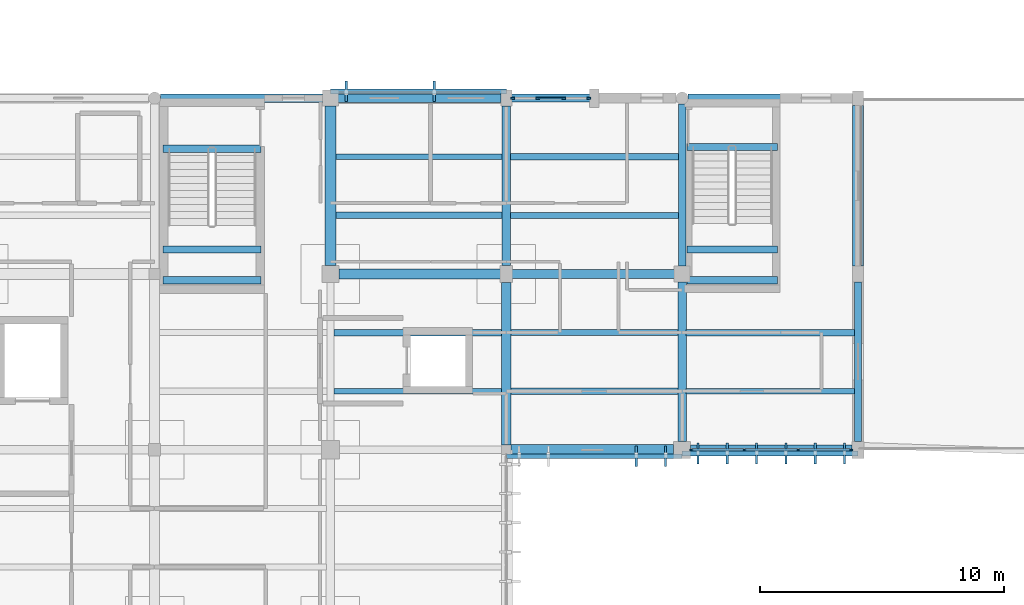
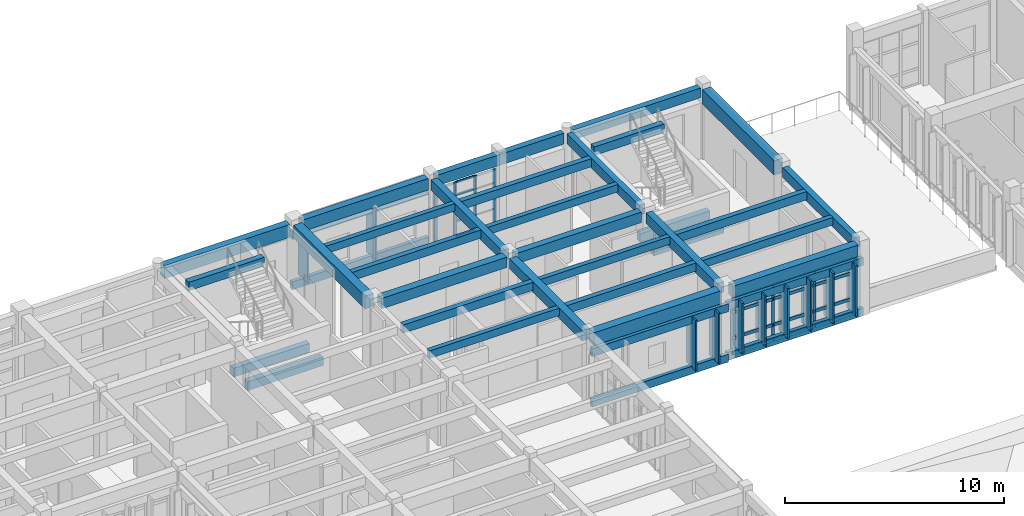
# One storey, part 14 of 51: 37 beams, 34 members, 2 elements without a shape of their own.
"""IFC4 building model written with IfcOpenShell, lengths in metres."""

from ifc_helpers import new_model, si_unit, direction, frame, origin, origin_2d, place, context, subcontext, project, spatial, rectangle, extrude, material, material_profile, profile_set, type_object, element, aggregate, save


model = new_model("IFC4")

# Units and contexts
model_context = context("Model", 3, precision=1e-05, world=origin(), true_north=direction((0.0, 1.0)))
body_context = subcontext(model_context, "Body", "Model", "MODEL_VIEW")
ifc_project = project(units=[si_unit("LENGTHUNIT", "METRE"), si_unit("AREAUNIT", "SQUARE_METRE"), si_unit("VOLUMEUNIT", "CUBIC_METRE"), si_unit("PLANEANGLEUNIT", "RADIAN"), si_unit("MASSUNIT", "GRAM", prefix="KILO")], contexts=[model_context])

# Site, building, storey
site_placement = place(None, origin())
site = spatial("IfcSite", under=ifc_project, at=site_placement, CompositionType="ELEMENT")
building_placement = place(site_placement, origin())
building = spatial("IfcBuilding", under=site, at=building_placement, Name="Steenspoor Specialist Clinic", CompositionType="ELEMENT")
storey_placement = place(building_placement, frame((0.0, 0.0, 17.39990234375)))
storey = spatial("IfcBuildingStorey", under=building, at=storey_placement, Name="L04", CompositionType="ELEMENT", Elevation=17.39990234375)

# Beams
ifc_material_1 = material(Name="Glulam GL28h", Category="wood")
ifc_material_profile_1 = material_profile(ifc_material_1, rectangle(XDim=0.199951171875, YDim=0.43994140625, at=origin_2d()), Name="GL28H-200X440")
ifc_profile_set_1 = profile_set([ifc_material_profile_1], Name="Glulam GL28h")
beam_type_1 = type_object("IfcBeamType", Name="BM-GL-200X440", PredefinedType="BEAM", material=ifc_profile_set_1)
for number, where, z_axis, x_axis, name in (
    (1, (88.39990234375, 108.6298828125, 0.14013671875), (1.0, 0.0, 0.0), (0.0, 1.0, 0.0), "Timber Screen Tie Rail V4 L04 59"),
    (2, (88.39990234375, 108.6298828125, 2.9501953125), (1.0, 0.0, 0.0), (0.0, 1.0, 0.0), "Timber Screen Tie Rail V4 L04 60"),
):
    element("IfcBeam", number, at=place(storey_placement, frame(where, z_axis=z_axis, x_axis=x_axis)), inside=storey, type_object=beam_type_1, Name=name, PredefinedType="BEAM", context=body_context, shape_type="SweptSolid", body=[
        extrude(rectangle(XDim=0.199951171875, YDim=0.43994140625, at=origin_2d()), origin(), (0.0, 0.0, 1.0), 7.2001953125),
    ])
for number, where, z_axis, x_axis, name in (
    (3, (110.0, 93.800048828125, 0.14013671875), (-1.0, 0.0, 0.0), (0.0, -1.0, 0.0), "Timber Screen Tie Rail V4 L04 63"),
    (4, (110.0, 93.800048828125, 2.9501953125), (-1.0, 0.0, 0.0), (0.0, -1.0, 0.0), "Timber Screen Tie Rail V4 L04 64"),
    (5, (102.800048828125, 93.68505859375, 0.14013671875), (-1.0, 0.0, 0.0), (0.0, -1.0, 0.0), "Timber Screen Tie Rail V4 L04 71"),
    (6, (102.800048828125, 93.68505859375, 2.9501953125), (-1.0, 0.0, 0.0), (0.0, -1.0, 0.0), "Timber Screen Tie Rail V4 L04 72"),
):
    element("IfcBeam", number, at=place(storey_placement, frame(where, z_axis=z_axis, x_axis=x_axis)), inside=storey, type_object=beam_type_1, Name=name, PredefinedType="BEAM", context=body_context, shape_type="SweptSolid", body=[
        extrude(rectangle(XDim=0.199951171875, YDim=0.43994140625, at=origin_2d()), origin(), (0.0, 0.0, 1.0), 7.199951171875),
    ])
ifc_material_2 = material(Name="Concrete C35/45", Category="concrete")
ifc_material_profile_2 = material_profile(ifc_material_2, rectangle(XDim=0.300048828125, YDim=0.47998046875, at=origin_2d()), Name="RC-BM-300X480")
ifc_profile_set_2 = profile_set([ifc_material_profile_2], Name="Concrete C35/45")
beam_type_2 = type_object("IfcBeamType", Name="BM-RC-300X480", PredefinedType="BEAM", material=ifc_profile_set_2)
for number, where, z_axis, x_axis, name in (
    (7, (103.0, 102.14990234375, 1.66015625), (1.0, 0.0, 0.0), (0.0, 1.0, 0.0), "Stair Mid-Landing Bearer 1 ST-V4B L04"),
    (8, (103.0, 100.89990234375, 1.66015625), (1.0, 0.0, 0.0), (0.0, 1.0, 0.0), "Stair Mid-Landing Bearer 2 ST-V4B L04"),
    (9, (103.0, 106.35009765625, 3.960205078125), (1.0, 0.0, 0.0), (0.0, 1.0, 0.0), "Stair Well Trimmer Beam ST-V4B L04"),
):
    element("IfcBeam", number, at=place(storey_placement, frame(where, z_axis=z_axis, x_axis=x_axis)), inside=storey, type_object=beam_type_2, Name=name, PredefinedType="BEAM", context=body_context, shape_type="SweptSolid", body=[
        extrude(rectangle(XDim=0.300048828125, YDim=0.47998046875, at=origin_2d()), origin(), (0.0, 0.0, 1.0), 3.699951171875),
    ])
for number, where, z_axis, x_axis, name in (
    (10, (81.550048828125, 102.14990234375, 1.66015625), (1.0, 0.0, 0.0), (0.0, 1.0, 0.0), "Stair Mid-Landing Bearer 1 ST-V4C L04"),
    (11, (81.550048828125, 100.89990234375, 1.66015625), (1.0, 0.0, 0.0), (0.0, 1.0, 0.0), "Stair Mid-Landing Bearer 2 ST-V4C L04"),
    (12, (81.550048828125, 106.280029296875, 3.960205078125), (1.0, 0.0, 0.0), (0.0, 1.0, 0.0), "Stair Well Trimmer Beam ST-V4C L04"),
):
    element("IfcBeam", number, at=place(storey_placement, frame(where, z_axis=z_axis, x_axis=x_axis)), inside=storey, type_object=beam_type_2, Name=name, PredefinedType="BEAM", context=body_context, shape_type="SweptSolid", body=[
        extrude(rectangle(XDim=0.300048828125, YDim=0.47998046875, at=origin_2d()), origin(), (0.0, 0.0, 1.0), 4.0),
    ])
ifc_material_profile_3 = material_profile(ifc_material_2, rectangle(XDim=0.300048828125, YDim=0.550048828125, at=origin_2d()), Name="RC-BM-300X550")
ifc_profile_set_3 = profile_set([ifc_material_profile_3], Name="Concrete C35/45")
beam_type_3 = type_object("IfcBeamType", Name="BM-RC-300X550", PredefinedType="BEAM", material=ifc_profile_set_3)
beam_1_placement = place(storey_placement, frame((102.800048828125, 101.469970703125, 3.64501953125), z_axis=(0.0, 1.0, 0.0), x_axis=(-1.0, 0.0, 0.0)))
element("IfcBeam", 13, at=beam_1_placement, inside=storey, type_object=beam_type_3, Name="BM-V4-L04-Y0963", PredefinedType="BEAM", context=body_context, shape_type="SweptSolid", body=[
    extrude(rectangle(XDim=0.300048828125, YDim=0.550048828125, at=origin_2d()), origin(), (0.0, 0.0, 1.0), 6.635009765625),
])
beam_2_placement = place(storey_placement, frame((110.0, 94.294921875, 3.64501953125), z_axis=(0.0, 1.0, 0.0), x_axis=(-1.0, 0.0, 0.0)))
element("IfcBeam", 14, at=beam_2_placement, inside=storey, type_object=beam_type_3, Name="BM-V4-L04-Y0964", PredefinedType="BEAM", context=body_context, shape_type="SweptSolid", body=[
    extrude(rectangle(XDim=0.300048828125, YDim=0.550048828125, at=origin_2d()), origin(), (0.0, 0.0, 1.0), 6.53515625),
])
ifc_material_profile_4 = material_profile(ifc_material_2, rectangle(XDim=0.35009765625, YDim=0.580078125, at=origin_2d()), Name="RC-BM-350X580")
ifc_profile_set_4 = profile_set([ifc_material_profile_4], Name="Concrete C35/45")
beam_type_4 = type_object("IfcBeamType", Name="BM-RC-350X580", PredefinedType="BEAM", material=ifc_profile_set_4)
beam_3_placement = place(storey_placement, frame((95.844970703125, 101.14990234375, 3.630126953125), z_axis=(1.0, 0.0, 0.0), x_axis=(0.0, 1.0, 0.0)))
element("IfcBeam", 15, at=beam_3_placement, inside=storey, type_object=beam_type_4, Name="BM-V4-L04-X0930", PredefinedType="BEAM", context=body_context, shape_type="SweptSolid", body=[
    extrude(rectangle(XDim=0.35009765625, YDim=0.580078125, at=origin_2d()), origin(), (0.0, 0.0, 1.0), 6.635009765625),
])
beam_4_placement = place(storey_placement, frame((95.60009765625, 101.4951171875, 3.630126953125), z_axis=(0.0, 1.0, 0.0), x_axis=(-1.0, 0.0, 0.0)))
element("IfcBeam", 16, at=beam_4_placement, inside=storey, type_object=beam_type_4, Name="BM-V4-L04-Y0961", PredefinedType="BEAM", context=body_context, shape_type="SweptSolid", body=[
    extrude(rectangle(XDim=0.35009765625, YDim=0.580078125, at=origin_2d()), origin(), (0.0, 0.0, 1.0), 6.534912109375),
])
beam_5_placement = place(storey_placement, frame((102.800048828125, 94.294921875, 3.630126953125), z_axis=(0.0, 1.0, 0.0), x_axis=(-1.0, 0.0, 0.0)))
element("IfcBeam", 17, at=beam_5_placement, inside=storey, type_object=beam_type_4, Name="BM-V4-L04-Y0962", PredefinedType="BEAM", context=body_context, shape_type="SweptSolid", body=[
    extrude(rectangle(XDim=0.35009765625, YDim=0.580078125, at=origin_2d()), origin(), (0.0, 0.0, 1.0), 6.53515625),
])
ifc_material_profile_5 = material_profile(ifc_material_2, rectangle(XDim=0.39990234375, YDim=0.580078125, at=origin_2d()), Name="RC-BM-400X580")
ifc_profile_set_5 = profile_set([ifc_material_profile_5], Name="Concrete C35/45")
beam_type_5 = type_object("IfcBeamType", Name="BM-RC-400X580", PredefinedType="BEAM", material=ifc_profile_set_5)
beam_6_placement = place(storey_placement, frame((88.7451171875, 101.14990234375, 3.630126953125), z_axis=(1.0, 0.0, 0.0), x_axis=(0.0, 1.0, 0.0)))
element("IfcBeam", 18, at=beam_6_placement, inside=storey, type_object=beam_type_5, Name="BM-V4-L04-X0929", PredefinedType="BEAM", context=body_context, shape_type="SweptSolid", body=[
    extrude(rectangle(XDim=0.39990234375, YDim=0.580078125, at=origin_2d()), origin(), (0.0, 0.0, 1.0), 6.60986328125),
])
beam_7_placement = place(storey_placement, frame((95.60009765625, 94.14501953125, 3.630126953125), z_axis=(0.0, 1.0, 0.0), x_axis=(-1.0, 0.0, 0.0)))
element("IfcBeam", 19, at=beam_7_placement, inside=storey, type_object=beam_type_5, Name="BM-V4-L04-Y0960", PredefinedType="BEAM", context=body_context, shape_type="SweptSolid", body=[
    extrude(rectangle(XDim=0.39990234375, YDim=0.580078125, at=origin_2d()), origin(), (0.0, 0.0, 1.0), 6.659912109375),
])
ifc_material_profile_6 = material_profile(ifc_material_2, rectangle(XDim=0.39990234375, YDim=0.64990234375, at=origin_2d()), Name="RC-BM-400X650")
ifc_profile_set_6 = profile_set([ifc_material_profile_6], Name="Concrete C35/45")
beam_type_6 = type_object("IfcBeamType", Name="BM-RC-400X650", PredefinedType="BEAM", material=ifc_profile_set_6)
beam_8_placement = place(storey_placement, frame((103.14501953125, 93.949951171875, 3.59521484375), z_axis=(1.0, 0.0, 0.0), x_axis=(0.0, 1.0, 0.0)))
element("IfcBeam", 20, at=beam_8_placement, inside=storey, type_object=beam_type_6, Name="BM-V4-L04-X0926", PredefinedType="BEAM", context=body_context, shape_type="SweptSolid", body=[
    extrude(rectangle(XDim=0.39990234375, YDim=0.64990234375, at=origin_2d()), origin(), (0.0, 0.0, 1.0), 6.60986328125),
])
ifc_material_profile_7 = material_profile(ifc_material_2, rectangle(XDim=0.449951171875, YDim=0.719970703125, at=origin_2d()), Name="RC-BM-450X720")
ifc_profile_set_7 = profile_set([ifc_material_profile_7], Name="Concrete C35/45")
beam_type_7 = type_object("IfcBeamType", Name="BM-RC-450X720", PredefinedType="BEAM", material=ifc_profile_set_7)
beam_9_placement = place(storey_placement, frame((95.794921875, 93.949951171875, 3.56005859375), z_axis=(1.0, 0.0, 0.0), x_axis=(0.0, 1.0, 0.0)))
element("IfcBeam", 21, at=beam_9_placement, inside=storey, type_object=beam_type_7, Name="BM-V4-L04-X0925", PredefinedType="BEAM", context=body_context, shape_type="SweptSolid", body=[
    extrude(rectangle(XDim=0.449951171875, YDim=0.719970703125, at=origin_2d()), origin(), (0.0, 0.0, 1.0), 6.66015625),
])
beam_10_placement = place(storey_placement, frame((88.39990234375, 101.4951171875, 3.56005859375), z_axis=(0.0, 1.0, 0.0), x_axis=(-1.0, 0.0, 0.0)))
element("IfcBeam", 22, at=beam_10_placement, inside=storey, type_object=beam_type_7, Name="BM-V4-L04-Y0956", PredefinedType="BEAM", context=body_context, shape_type="SweptSolid", body=[
    extrude(rectangle(XDim=0.449951171875, YDim=0.719970703125, at=origin_2d()), origin(), (0.0, 0.0, 1.0), 6.534912109375),
])
ifc_material_profile_8 = material_profile(ifc_material_2, rectangle(XDim=0.449951171875, YDim=0.800048828125, at=origin_2d()), Name="RC-BM-450X800")
ifc_profile_set_8 = profile_set([ifc_material_profile_8], Name="Concrete C35/45")
beam_type_8 = type_object("IfcBeamType", Name="BM-RC-450X800", PredefinedType="BEAM", material=ifc_profile_set_8)
beam_11_placement = place(storey_placement, frame((110.0, 101.469970703125, 3.52001953125), z_axis=(0.0, 1.0, 0.0), x_axis=(-1.0, 0.0, 0.0)))
element("IfcBeam", 23, at=beam_11_placement, inside=storey, type_object=beam_type_8, Name="BM-V4-L04-Y0965", PredefinedType="BEAM", context=body_context, shape_type="SweptSolid", body=[
    extrude(rectangle(XDim=0.449951171875, YDim=0.800048828125, at=origin_2d()), origin(), (0.0, 0.0, 1.0), 6.5849609375),
])

# Curtain wall, members
ifc_material_3 = material(Name="Thermally broken aluminium and low-emissivity glass", Category="aluminium")
curtain_wall_type_1 = type_object("IfcCurtainWallType", Name="CW-TYP-660X355", PredefinedType="USERDEFINED", material=ifc_material_3)
curtain_wall_1_placement = place(storey_placement, origin())
curtain_wall_1 = element("IfcCurtainWall", 24, at=curtain_wall_1_placement, inside=storey, type_object=curtain_wall_type_1, Name="Unitised Curtain Wall CW-V4-L04-129", ObjectType="UNITISED GLAZING", PredefinedType="USERDEFINED")
ifc_material_4 = material(Name="Thermally broken aluminium 6063-T6", Category="aluminium")
ifc_material_profile_9 = material_profile(ifc_material_4, rectangle(XDim=0.06494140625, YDim=0.14990234375, at=origin_2d()), Name="CWM-65X150")
ifc_profile_set_9 = profile_set([ifc_material_profile_9], Name="Thermally broken aluminium 6063-T6")
member_type_1 = type_object("IfcMemberType", Name="CW-MULL-65X150", PredefinedType="MULLION", material=ifc_profile_set_9)
member_1_placement = place(storey_placement, frame((109.717529296875, 93.949951171875, 0.0), z_axis=(0.0, 0.0, 1.0), x_axis=(0.0, -1.0, 0.0)))
member_1 = element("IfcMember", 25, at=member_1_placement, type_object=member_type_1, Name="CW-09 mullion 1", PredefinedType="MULLION", context=body_context, shape_type="SweptSolid", body=[
    extrude(rectangle(XDim=0.06494140625, YDim=0.14990234375, at=origin_2d()), origin(), (0.0, 0.0, 1.0), 3.10009765625),
])
member_2_placement = place(storey_placement, frame((107.550048828125, 93.949951171875, 0.0), z_axis=(0.0, 0.0, 1.0), x_axis=(0.0, -1.0, 0.0)))
member_2 = element("IfcMember", 26, at=member_2_placement, type_object=member_type_1, Name="CW-09 mullion 2", PredefinedType="MULLION", context=body_context, shape_type="SweptSolid", body=[
    extrude(rectangle(XDim=0.06494140625, YDim=0.14990234375, at=origin_2d()), origin(), (0.0, 0.0, 1.0), 3.10009765625),
])
member_3_placement = place(storey_placement, frame((105.35009765625, 93.949951171875, 0.0), z_axis=(0.0, 0.0, 1.0), x_axis=(0.0, -1.0, 0.0)))
member_3 = element("IfcMember", 27, at=member_3_placement, type_object=member_type_1, Name="CW-09 mullion 3", PredefinedType="MULLION", context=body_context, shape_type="SweptSolid", body=[
    extrude(rectangle(XDim=0.06494140625, YDim=0.14990234375, at=origin_2d()), origin(), (0.0, 0.0, 1.0), 3.10009765625),
])
member_4_placement = place(storey_placement, frame((103.1826171875, 93.949951171875, 0.0), z_axis=(0.0, 0.0, 1.0), x_axis=(0.0, -1.0, 0.0)))
member_4 = element("IfcMember", 28, at=member_4_placement, type_object=member_type_1, Name="CW-09 mullion 4", PredefinedType="MULLION", context=body_context, shape_type="SweptSolid", body=[
    extrude(rectangle(XDim=0.06494140625, YDim=0.14990234375, at=origin_2d()), origin(), (0.0, 0.0, 1.0), 3.10009765625),
])

curtain_wall_type_2 = type_object("IfcCurtainWallType", Name="CW-L00-240X415", PredefinedType="USERDEFINED", material=ifc_material_3)
curtain_wall_2_placement = place(storey_placement, origin())
curtain_wall_2 = element("IfcCurtainWall", 29, at=curtain_wall_2_placement, inside=storey, type_object=curtain_wall_type_2, Name="Unitised Curtain Wall CW-V4-L04-128", ObjectType="UNITISED GLAZING", PredefinedType="USERDEFINED")
ifc_material_profile_10 = material_profile(ifc_material_4, rectangle(XDim=0.070068359375, YDim=0.1650390625, at=origin_2d()), Name="CWM-70X165")
ifc_profile_set_10 = profile_set([ifc_material_profile_10], Name="Thermally broken aluminium 6063-T6")
member_type_2 = type_object("IfcMemberType", Name="CW-MULL-70X165", PredefinedType="MULLION", material=ifc_profile_set_10)
member_5_placement = place(storey_placement, frame((95.860107421875, 108.35009765625, 0.0), z_axis=(0.0, 0.0, 1.0), x_axis=(0.0, 1.0, 0.0)))
member_5 = element("IfcMember", 30, at=member_5_placement, type_object=member_type_2, Name="CW-08 mullion 1", PredefinedType="MULLION", context=body_context, shape_type="SweptSolid", body=[
    extrude(rectangle(XDim=0.070068359375, YDim=0.1650390625, at=origin_2d()), origin(), (0.0, 0.0, 1.0), 3.10009765625),
])
member_6_placement = place(storey_placement, frame((96.88671875, 108.35009765625, 0.0), z_axis=(0.0, 0.0, 1.0), x_axis=(0.0, 1.0, 0.0)))
member_6 = element("IfcMember", 31, at=member_6_placement, type_object=member_type_2, Name="CW-08 mullion 2", PredefinedType="MULLION", context=body_context, shape_type="SweptSolid", body=[
    extrude(rectangle(XDim=0.070068359375, YDim=0.1650390625, at=origin_2d()), origin(), (0.0, 0.0, 1.0), 3.10009765625),
])
member_7_placement = place(storey_placement, frame((97.9482421875, 108.35009765625, 0.0), z_axis=(0.0, 0.0, 1.0), x_axis=(0.0, 1.0, 0.0)))
member_7 = element("IfcMember", 32, at=member_7_placement, type_object=member_type_2, Name="CW-08 mullion 3", PredefinedType="MULLION", context=body_context, shape_type="SweptSolid", body=[
    extrude(rectangle(XDim=0.070068359375, YDim=0.1650390625, at=origin_2d()), origin(), (0.0, 0.0, 1.0), 3.10009765625),
])
member_8_placement = place(storey_placement, frame((98.97509765625, 108.35009765625, 0.0), z_axis=(0.0, 0.0, 1.0), x_axis=(0.0, 1.0, 0.0)))
member_8 = element("IfcMember", 33, at=member_8_placement, type_object=member_type_2, Name="CW-08 mullion 4", PredefinedType="MULLION", context=body_context, shape_type="SweptSolid", body=[
    extrude(rectangle(XDim=0.070068359375, YDim=0.1650390625, at=origin_2d()), origin(), (0.0, 0.0, 1.0), 3.10009765625),
])
ifc_material_profile_11 = material_profile(ifc_material_4, rectangle(XDim=0.06005859375, YDim=0.114990234375, at=origin_2d()), Name="CWT-60X115")
ifc_profile_set_11 = profile_set([ifc_material_profile_11], Name="Thermally broken aluminium 6063-T6")
member_type_3 = type_object("IfcMemberType", Name="CW-TRAN-60X115", PredefinedType="USERDEFINED", material=ifc_profile_set_11)
member_9_placement = place(storey_placement, frame((96.921630859375, 108.35009765625, 0.030029296875), z_axis=(1.0, 0.0, 0.0), x_axis=(0.0, 1.0, 0.0)))
member_9 = element("IfcMember", 34, at=member_9_placement, type_object=member_type_3, Name="CW-08 transom 2.1", ObjectType="TRANSOM", PredefinedType="USERDEFINED", context=body_context, shape_type="SweptSolid", body=[
    extrude(rectangle(XDim=0.06005859375, YDim=0.114990234375, at=origin_2d()), origin(), (0.0, 0.0, 1.0), 0.99169921875),
])
member_10_placement = place(storey_placement, frame((96.921630859375, 108.35009765625, 0.900146484375), z_axis=(1.0, 0.0, 0.0), x_axis=(0.0, 1.0, 0.0)))
member_10 = element("IfcMember", 35, at=member_10_placement, type_object=member_type_3, Name="CW-08 transom 2.2", ObjectType="TRANSOM", PredefinedType="USERDEFINED", context=body_context, shape_type="SweptSolid", body=[
    extrude(rectangle(XDim=0.06005859375, YDim=0.114990234375, at=origin_2d()), origin(), (0.0, 0.0, 1.0), 0.99169921875),
])
member_11_placement = place(storey_placement, frame((96.921630859375, 108.35009765625, 2.35009765625), z_axis=(1.0, 0.0, 0.0), x_axis=(0.0, 1.0, 0.0)))
member_11 = element("IfcMember", 36, at=member_11_placement, type_object=member_type_3, Name="CW-08 transom 2.3", ObjectType="TRANSOM", PredefinedType="USERDEFINED", context=body_context, shape_type="SweptSolid", body=[
    extrude(rectangle(XDim=0.06005859375, YDim=0.114990234375, at=origin_2d()), origin(), (0.0, 0.0, 1.0), 0.99169921875),
])
member_12_placement = place(storey_placement, frame((96.921630859375, 108.35009765625, 3.070068359375), z_axis=(1.0, 0.0, 0.0), x_axis=(0.0, 1.0, 0.0)))
member_12 = element("IfcMember", 37, at=member_12_placement, type_object=member_type_3, Name="CW-08 transom 2.4", ObjectType="TRANSOM", PredefinedType="USERDEFINED", context=body_context, shape_type="SweptSolid", body=[
    extrude(rectangle(XDim=0.06005859375, YDim=0.114990234375, at=origin_2d()), origin(), (0.0, 0.0, 1.0), 0.99169921875),
])
aggregate(curtain_wall_2, [member_5, member_6, member_7, member_8, member_9, member_10, member_11, member_12])

# Member
ifc_material_profile_12 = material_profile(ifc_material_4, rectangle(XDim=0.090087890625, YDim=0.175048828125, at=origin_2d()), Name="CWT-90X175")
ifc_profile_set_12 = profile_set([ifc_material_profile_12], Name="Thermally broken aluminium 6063-T6")
member_type_4 = type_object("IfcMemberType", Name="CW-TRAN-90X175", PredefinedType="USERDEFINED", material=ifc_profile_set_12)
member_13_placement = place(storey_placement, frame((109.68505859375, 93.949951171875, 0.045166015625), z_axis=(-1.0, 0.0, 0.0), x_axis=(0.0, -1.0, 0.0)))
member_13 = element("IfcMember", 38, at=member_13_placement, type_object=member_type_4, Name="CW-09 transom 1.1", ObjectType="TRANSOM", PredefinedType="USERDEFINED", context=body_context, shape_type="SweptSolid", body=[
    extrude(rectangle(XDim=0.090087890625, YDim=0.175048828125, at=origin_2d()), origin(), (0.0, 0.0, 1.0), 2.1025390625),
])

member_14_placement = place(storey_placement, frame((109.68505859375, 93.949951171875, 0.900146484375), z_axis=(-1.0, 0.0, 0.0), x_axis=(0.0, -1.0, 0.0)))
member_14 = element("IfcMember", 39, at=member_14_placement, type_object=member_type_4, Name="CW-09 transom 1.2", ObjectType="TRANSOM", PredefinedType="USERDEFINED", context=body_context, shape_type="SweptSolid", body=[
    extrude(rectangle(XDim=0.090087890625, YDim=0.175048828125, at=origin_2d()), origin(), (0.0, 0.0, 1.0), 2.1025390625),
])

member_15_placement = place(storey_placement, frame((109.68505859375, 93.949951171875, 2.35009765625), z_axis=(-1.0, 0.0, 0.0), x_axis=(0.0, -1.0, 0.0)))
member_15 = element("IfcMember", 40, at=member_15_placement, type_object=member_type_4, Name="CW-09 transom 1.3", ObjectType="TRANSOM", PredefinedType="USERDEFINED", context=body_context, shape_type="SweptSolid", body=[
    extrude(rectangle(XDim=0.090087890625, YDim=0.175048828125, at=origin_2d()), origin(), (0.0, 0.0, 1.0), 2.1025390625),
])

member_16_placement = place(storey_placement, frame((109.68505859375, 93.949951171875, 3.05517578125), z_axis=(-1.0, 0.0, 0.0), x_axis=(0.0, -1.0, 0.0)))
member_16 = element("IfcMember", 41, at=member_16_placement, type_object=member_type_4, Name="CW-09 transom 1.4", ObjectType="TRANSOM", PredefinedType="USERDEFINED", context=body_context, shape_type="SweptSolid", body=[
    extrude(rectangle(XDim=0.090087890625, YDim=0.175048828125, at=origin_2d()), origin(), (0.0, 0.0, 1.0), 2.1025390625),
])

member_17_placement = place(storey_placement, frame((107.517578125, 93.949951171875, 0.045166015625), z_axis=(-1.0, 0.0, 0.0), x_axis=(0.0, -1.0, 0.0)))
member_17 = element("IfcMember", 42, at=member_17_placement, type_object=member_type_4, Name="CW-09 transom 2.1", ObjectType="TRANSOM", PredefinedType="USERDEFINED", context=body_context, shape_type="SweptSolid", body=[
    extrude(rectangle(XDim=0.090087890625, YDim=0.175048828125, at=origin_2d()), origin(), (0.0, 0.0, 1.0), 2.135009765625),
])

member_18_placement = place(storey_placement, frame((107.517578125, 93.949951171875, 0.900146484375), z_axis=(-1.0, 0.0, 0.0), x_axis=(0.0, -1.0, 0.0)))
member_18 = element("IfcMember", 43, at=member_18_placement, type_object=member_type_4, Name="CW-09 transom 2.2", ObjectType="TRANSOM", PredefinedType="USERDEFINED", context=body_context, shape_type="SweptSolid", body=[
    extrude(rectangle(XDim=0.090087890625, YDim=0.175048828125, at=origin_2d()), origin(), (0.0, 0.0, 1.0), 2.135009765625),
])

member_19_placement = place(storey_placement, frame((107.517578125, 93.949951171875, 2.35009765625), z_axis=(-1.0, 0.0, 0.0), x_axis=(0.0, -1.0, 0.0)))
member_19 = element("IfcMember", 44, at=member_19_placement, type_object=member_type_4, Name="CW-09 transom 2.3", ObjectType="TRANSOM", PredefinedType="USERDEFINED", context=body_context, shape_type="SweptSolid", body=[
    extrude(rectangle(XDim=0.090087890625, YDim=0.175048828125, at=origin_2d()), origin(), (0.0, 0.0, 1.0), 2.135009765625),
])

member_20_placement = place(storey_placement, frame((107.517578125, 93.949951171875, 3.05517578125), z_axis=(-1.0, 0.0, 0.0), x_axis=(0.0, -1.0, 0.0)))
member_20 = element("IfcMember", 45, at=member_20_placement, type_object=member_type_4, Name="CW-09 transom 2.4", ObjectType="TRANSOM", PredefinedType="USERDEFINED", context=body_context, shape_type="SweptSolid", body=[
    extrude(rectangle(XDim=0.090087890625, YDim=0.175048828125, at=origin_2d()), origin(), (0.0, 0.0, 1.0), 2.135009765625),
])

member_21_placement = place(storey_placement, frame((105.3173828125, 93.949951171875, 0.045166015625), z_axis=(-1.0, 0.0, 0.0), x_axis=(0.0, -1.0, 0.0)))
member_21 = element("IfcMember", 46, at=member_21_placement, type_object=member_type_4, Name="CW-09 transom 3.1", ObjectType="TRANSOM", PredefinedType="USERDEFINED", context=body_context, shape_type="SweptSolid", body=[
    extrude(rectangle(XDim=0.090087890625, YDim=0.175048828125, at=origin_2d()), origin(), (0.0, 0.0, 1.0), 2.102294921875),
])

member_22_placement = place(storey_placement, frame((105.3173828125, 93.949951171875, 0.900146484375), z_axis=(-1.0, 0.0, 0.0), x_axis=(0.0, -1.0, 0.0)))
member_22 = element("IfcMember", 47, at=member_22_placement, type_object=member_type_4, Name="CW-09 transom 3.2", ObjectType="TRANSOM", PredefinedType="USERDEFINED", context=body_context, shape_type="SweptSolid", body=[
    extrude(rectangle(XDim=0.090087890625, YDim=0.175048828125, at=origin_2d()), origin(), (0.0, 0.0, 1.0), 2.102294921875),
])

member_23_placement = place(storey_placement, frame((105.3173828125, 93.949951171875, 2.35009765625), z_axis=(-1.0, 0.0, 0.0), x_axis=(0.0, -1.0, 0.0)))
member_23 = element("IfcMember", 48, at=member_23_placement, type_object=member_type_4, Name="CW-09 transom 3.3", ObjectType="TRANSOM", PredefinedType="USERDEFINED", context=body_context, shape_type="SweptSolid", body=[
    extrude(rectangle(XDim=0.090087890625, YDim=0.175048828125, at=origin_2d()), origin(), (0.0, 0.0, 1.0), 2.102294921875),
])

member_24_placement = place(storey_placement, frame((105.3173828125, 93.949951171875, 3.05517578125), z_axis=(-1.0, 0.0, 0.0), x_axis=(0.0, -1.0, 0.0)))
member_24 = element("IfcMember", 49, at=member_24_placement, type_object=member_type_4, Name="CW-09 transom 3.4", ObjectType="TRANSOM", PredefinedType="USERDEFINED", context=body_context, shape_type="SweptSolid", body=[
    extrude(rectangle(XDim=0.090087890625, YDim=0.175048828125, at=origin_2d()), origin(), (0.0, 0.0, 1.0), 2.102294921875),
])

aggregate(curtain_wall_1, [member_1, member_2, member_3, member_4, member_13, member_14, member_15, member_16, member_17, member_18, member_19, member_20, member_21, member_22, member_23, member_24])

# Beams
ifc_material_profile_13 = material_profile(ifc_material_2, rectangle(XDim=0.239990234375, YDim=0.419921875, at=origin_2d()), Name="RC-JT-240X420")
ifc_profile_set_13 = profile_set([ifc_material_profile_13], Name="Concrete C35/45")
beam_type_9 = type_object("IfcBeamType", Name="JT-RC-240X420", PredefinedType="JOIST", material=ifc_profile_set_13)
beam_12_placement = place(storey_placement, frame((88.544921875, 96.35009765625, 3.710205078125), z_axis=(1.0, 0.0, 0.0), x_axis=(0.0, 1.0, 0.0)))
element("IfcBeam", 50, at=beam_12_placement, inside=storey, type_object=beam_type_9, Name="JT-V4-L04-0994", PredefinedType="JOIST", context=body_context, shape_type="SweptSolid", body=[
    extrude(rectangle(XDim=0.239990234375, YDim=0.419921875, at=origin_2d()), origin(), (0.0, 0.0, 1.0), 6.860107421875),
])
beam_13_placement = place(storey_placement, frame((88.6201171875, 105.949951171875, 3.710205078125), z_axis=(1.0, 0.0, 0.0), x_axis=(0.0, 1.0, 0.0)))
element("IfcBeam", 51, at=beam_13_placement, inside=storey, type_object=beam_type_9, Name="JT-V4-L04-0997", PredefinedType="JOIST", context=body_context, shape_type="SweptSolid", body=[
    extrude(rectangle(XDim=0.239990234375, YDim=0.419921875, at=origin_2d()), origin(), (0.0, 0.0, 1.0), 6.809814453125),
])
beam_14_placement = place(storey_placement, frame((95.794921875, 98.75, 3.710205078125), z_axis=(1.0, 0.0, 0.0), x_axis=(0.0, 1.0, 0.0)))
element("IfcBeam", 52, at=beam_14_placement, inside=storey, type_object=beam_type_9, Name="JT-V4-L04-0999", PredefinedType="JOIST", context=body_context, shape_type="SweptSolid", body=[
    extrude(rectangle(XDim=0.239990234375, YDim=0.419921875, at=origin_2d()), origin(), (0.0, 0.0, 1.0), 6.8349609375),
])
for number, where, z_axis, x_axis, name in (
    (53, (95.77001953125, 103.550048828125, 3.710205078125), (1.0, 0.0, 0.0), (0.0, 1.0, 0.0), "JT-V4-L04-1000"),
    (54, (102.969970703125, 96.35009765625, 3.710205078125), (1.0, 0.0, 0.0), (0.0, 1.0, 0.0), "JT-V4-L04-1002"),
):
    element("IfcBeam", number, at=place(storey_placement, frame(where, z_axis=z_axis, x_axis=x_axis)), inside=storey, type_object=beam_type_9, Name=name, PredefinedType="JOIST", context=body_context, shape_type="SweptSolid", body=[
        extrude(rectangle(XDim=0.239990234375, YDim=0.419921875, at=origin_2d()), origin(), (0.0, 0.0, 1.0), 6.885009765625),
    ])
ifc_material_profile_14 = material_profile(ifc_material_2, rectangle(XDim=0.260009765625, YDim=0.4599609375, at=origin_2d()), Name="RC-JT-260X460")
ifc_profile_set_14 = profile_set([ifc_material_profile_14], Name="Concrete C35/45")
beam_type_10 = type_object("IfcBeamType", Name="JT-RC-260X460", PredefinedType="JOIST", material=ifc_profile_set_14)
beam_15_placement = place(storey_placement, frame((88.544921875, 98.75, 3.690185546875), z_axis=(1.0, 0.0, 0.0), x_axis=(0.0, 1.0, 0.0)))
element("IfcBeam", 55, at=beam_15_placement, inside=storey, type_object=beam_type_10, Name="JT-V4-L04-0995", PredefinedType="JOIST", context=body_context, shape_type="SweptSolid", body=[
    extrude(rectangle(XDim=0.260009765625, YDim=0.4599609375, at=origin_2d()), origin(), (0.0, 0.0, 1.0), 6.860107421875),
])
beam_16_placement = place(storey_placement, frame((88.6201171875, 103.550048828125, 3.690185546875), z_axis=(1.0, 0.0, 0.0), x_axis=(0.0, 1.0, 0.0)))
element("IfcBeam", 56, at=beam_16_placement, inside=storey, type_object=beam_type_10, Name="JT-V4-L04-0996", PredefinedType="JOIST", context=body_context, shape_type="SweptSolid", body=[
    extrude(rectangle(XDim=0.260009765625, YDim=0.4599609375, at=origin_2d()), origin(), (0.0, 0.0, 1.0), 6.809814453125),
])
beam_17_placement = place(storey_placement, frame((95.794921875, 96.35009765625, 3.690185546875), z_axis=(1.0, 0.0, 0.0), x_axis=(0.0, 1.0, 0.0)))
element("IfcBeam", 57, at=beam_17_placement, inside=storey, type_object=beam_type_10, Name="JT-V4-L04-0998", PredefinedType="JOIST", context=body_context, shape_type="SweptSolid", body=[
    extrude(rectangle(XDim=0.260009765625, YDim=0.4599609375, at=origin_2d()), origin(), (0.0, 0.0, 1.0), 6.8349609375),
])
for number, where, z_axis, x_axis, name in (
    (58, (95.77001953125, 105.949951171875, 3.690185546875), (1.0, 0.0, 0.0), (0.0, 1.0, 0.0), "JT-V4-L04-1001"),
    (59, (102.969970703125, 98.75, 3.690185546875), (1.0, 0.0, 0.0), (0.0, 1.0, 0.0), "JT-V4-L04-1003"),
):
    element("IfcBeam", number, at=place(storey_placement, frame(where, z_axis=z_axis, x_axis=x_axis)), inside=storey, type_object=beam_type_10, Name=name, PredefinedType="JOIST", context=body_context, shape_type="SweptSolid", body=[
        extrude(rectangle(XDim=0.260009765625, YDim=0.4599609375, at=origin_2d()), origin(), (0.0, 0.0, 1.0), 6.885009765625),
    ])

# Members
ifc_material_profile_15 = material_profile(ifc_material_1, rectangle(XDim=0.090087890625, YDim=0.85009765625, at=origin_2d()), Name="GL28H-90X850")
ifc_profile_set_15 = profile_set([ifc_material_profile_15], Name="Glulam GL28h")
member_type_5 = type_object("IfcMemberType", Name="MEM-SCREEN-GL850", PredefinedType="STRUT", material=ifc_profile_set_15)
for number, where, z_axis, x_axis, name in (
    (60, (89.050048828125, 108.6298828125, 0.27001953125), (0.0, 0.0, 1.0), (1.0, 0.0, 0.0), "Glulam Timber Screen Fin SCR-FIN-V4-L04-0061"),
    (61, (92.64990234375, 108.6298828125, 0.27001953125), (0.0, 0.0, 1.0), (1.0, 0.0, 0.0), "Glulam Timber Screen Fin SCR-FIN-V4-L04-0062"),
    (62, (109.449951171875, 93.800048828125, 0.27001953125), (0.0, 0.0, 1.0), (-1.0, 0.0, 0.0), "Glulam Timber Screen Fin SCR-FIN-V4-L04-0065"),
    (63, (108.25, 93.800048828125, 0.27001953125), (0.0, 0.0, 1.0), (-1.0, 0.0, 0.0), "Glulam Timber Screen Fin SCR-FIN-V4-L04-0066"),
    (64, (107.050048828125, 93.800048828125, 0.27001953125), (0.0, 0.0, 1.0), (-1.0, 0.0, 0.0), "Glulam Timber Screen Fin SCR-FIN-V4-L04-0067"),
    (65, (105.85009765625, 93.800048828125, 0.27001953125), (0.0, 0.0, 1.0), (-1.0, 0.0, 0.0), "Glulam Timber Screen Fin SCR-FIN-V4-L04-0068"),
    (66, (104.64990234375, 93.800048828125, 0.27001953125), (0.0, 0.0, 1.0), (-1.0, 0.0, 0.0), "Glulam Timber Screen Fin SCR-FIN-V4-L04-0069"),
    (67, (103.449951171875, 93.800048828125, 0.27001953125), (0.0, 0.0, 1.0), (-1.0, 0.0, 0.0), "Glulam Timber Screen Fin SCR-FIN-V4-L04-0070"),
    (68, (102.125, 93.68505859375, 0.27001953125), (0.0, 0.0, 1.0), (-1.0, 0.0, 0.0), "Glulam Timber Screen Fin SCR-FIN-V4-L04-0073"),
    (69, (100.925048828125, 93.68505859375, 0.27001953125), (0.0, 0.0, 1.0), (-1.0, 0.0, 0.0), "Glulam Timber Screen Fin SCR-FIN-V4-L04-0074"),
):
    element("IfcMember", number, at=place(storey_placement, frame(where, z_axis=z_axis, x_axis=x_axis)), inside=storey, type_object=member_type_5, Name=name, PredefinedType="STRUT", context=body_context, shape_type="SweptSolid", body=[
        extrude(rectangle(XDim=0.090087890625, YDim=0.85009765625, at=origin_2d()), origin(), (0.0, 0.0, 1.0), 2.820068359375),
    ])

# Beams
ifc_material_profile_16 = material_profile(ifc_material_2, rectangle(XDim=0.320068359375, YDim=0.5400390625, at=origin_2d()), Name="RC-SP-320X540")
ifc_profile_set_16 = profile_set([ifc_material_profile_16], Name="Concrete C35/45")
beam_type_11 = type_object("IfcBeamType", Name="SP-RC-320X540", PredefinedType="SPANDREL", material=ifc_profile_set_16)
beam_18_placement = place(storey_placement, frame((103.044921875, 108.35009765625, 3.650146484375), z_axis=(1.0, 0.0, 0.0), x_axis=(0.0, 1.0, 0.0)))
element("IfcBeam", 70, at=beam_18_placement, inside=storey, type_object=beam_type_11, Name="BM-V4-L04-X0937", PredefinedType="SPANDREL", context=body_context, shape_type="SweptSolid", body=[
    extrude(rectangle(XDim=0.320068359375, YDim=0.5400390625, at=origin_2d()), origin(), (0.0, 0.0, 1.0), 6.735107421875),
])
ifc_material_profile_17 = material_profile(ifc_material_2, rectangle(XDim=0.320068359375, YDim=0.60009765625, at=origin_2d()), Name="RC-SP-320X600")
ifc_profile_set_17 = profile_set([ifc_material_profile_17], Name="Concrete C35/45")
beam_type_12 = type_object("IfcBeamType", Name="SP-RC-320X600", PredefinedType="SPANDREL", material=ifc_profile_set_17)
beam_19_placement = place(storey_placement, frame((95.820068359375, 108.35009765625, 3.6201171875), z_axis=(1.0, 0.0, 0.0), x_axis=(0.0, 1.0, 0.0)))
element("IfcBeam", 71, at=beam_19_placement, inside=storey, type_object=beam_type_12, Name="BM-V4-L04-X0936", PredefinedType="SPANDREL", context=body_context, shape_type="SweptSolid", body=[
    extrude(rectangle(XDim=0.320068359375, YDim=0.60009765625, at=origin_2d()), origin(), (0.0, 0.0, 1.0), 6.73486328125),
])
ifc_material_profile_18 = material_profile(ifc_material_2, rectangle(XDim=0.360107421875, YDim=0.639892578125, at=origin_2d()), Name="RC-SP-360X640")
ifc_profile_set_18 = profile_set([ifc_material_profile_18], Name="Concrete C35/45")
beam_type_13 = type_object("IfcBeamType", Name="SP-RC-360X640", PredefinedType="SPANDREL", material=ifc_profile_set_18)
beam_20_placement = place(storey_placement, frame((88.719970703125, 108.35009765625, 3.60009765625), z_axis=(1.0, 0.0, 0.0), x_axis=(0.0, 1.0, 0.0)))
element("IfcBeam", 72, at=beam_20_placement, inside=storey, type_object=beam_type_13, Name="BM-V4-L04-X0935", PredefinedType="SPANDREL", context=body_context, shape_type="SweptSolid", body=[
    extrude(rectangle(XDim=0.360107421875, YDim=0.639892578125, at=origin_2d()), origin(), (0.0, 0.0, 1.0), 6.659912109375),
])
ifc_material_profile_19 = material_profile(ifc_material_2, rectangle(XDim=0.360107421875, YDim=0.719970703125, at=origin_2d()), Name="RC-SP-360X720")
ifc_profile_set_19 = profile_set([ifc_material_profile_19], Name="Concrete C35/45")
beam_type_14 = type_object("IfcBeamType", Name="SP-RC-360X720", PredefinedType="SPANDREL", material=ifc_profile_set_19)
beam_21_placement = place(storey_placement, frame((81.445068359375, 108.35009765625, 3.56005859375), z_axis=(1.0, 0.0, 0.0), x_axis=(0.0, 1.0, 0.0)))
element("IfcBeam", 73, at=beam_21_placement, inside=storey, type_object=beam_type_14, Name="BM-V4-L04-X0934", PredefinedType="SPANDREL", context=body_context, shape_type="SweptSolid", body=[
    extrude(rectangle(XDim=0.360107421875, YDim=0.719970703125, at=origin_2d()), origin(), (0.0, 0.0, 1.0), 6.635009765625),
])

save(model, "model.ifc")
